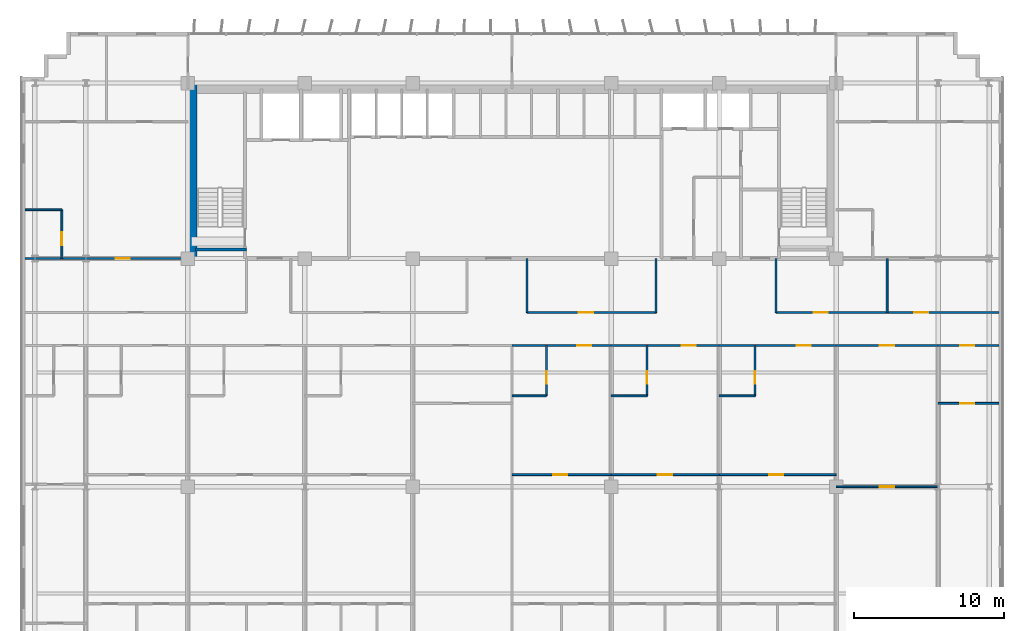
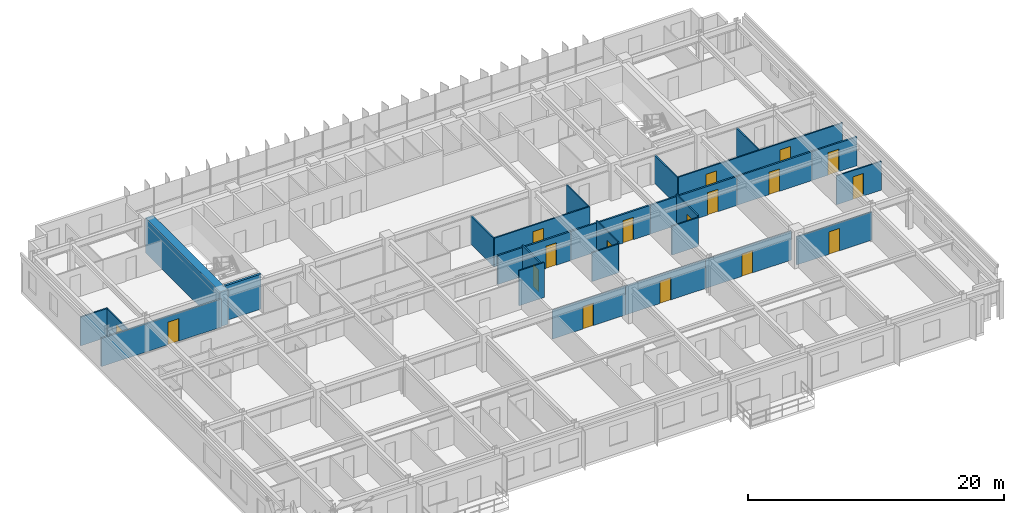
# One storey, part 18 of 24: 27 walls, 18 doors, 18 openings.
"""IFC4 building model written with IfcOpenShell, lengths in metres."""

from ifc_helpers import new_model, si_unit, direction, frame, frame_2d, origin, place, context, subcontext, project, spatial, rectangle, extrude, source, transform, mapped, material, layer, layer_set, type_object, element, fill, save


model = new_model("IFC4")

# Units and contexts
model_context = context("Model", 3, precision=1e-05, world=origin(), true_north=direction((0.0, 1.0)))
body_context = subcontext(model_context, "Body", "Model", "MODEL_VIEW")
ifc_project = project(units=[si_unit("LENGTHUNIT", "METRE"), si_unit("AREAUNIT", "SQUARE_METRE"), si_unit("VOLUMEUNIT", "CUBIC_METRE"), si_unit("PLANEANGLEUNIT", "RADIAN"), si_unit("MASSUNIT", "GRAM", prefix="KILO")], contexts=[model_context])

# Site, building, storey
site_placement = place(None, origin())
site = spatial("IfcSite", under=ifc_project, at=site_placement, CompositionType="ELEMENT")
building_placement = place(site_placement, origin())
building = spatial("IfcBuilding", under=site, at=building_placement, Name="Trelvane Seafront Commons", CompositionType="ELEMENT")
storey_placement = place(building_placement, frame((0.0, 0.0, 27.10009765625)))
storey = spatial("IfcBuildingStorey", under=building, at=storey_placement, Name="L06", CompositionType="ELEMENT", Elevation=27.10009765625)

# Wall, opening, door
ifc_material_1 = material(Name="Gypsum Drywall Acoustic Partition")
ifc_layer_1 = layer(ifc_material_1, 0.1201171875, Name="ARCH-WALL-PART120")
ifc_layer_set_1 = layer_set([ifc_layer_1], Name="Gypsum Drywall Acoustic Partition")
wall_type_1 = type_object("IfcWallType", Name="ARCH-WALL-PART120", PredefinedType="PARTITIONING", material=ifc_layer_set_1)
wall_1_placement = place(storey_placement, frame((38.199951171875, 29.800048828125, 0.0), z_axis=(0.0, 0.0, 1.0), x_axis=(1.0, 0.0, 0.0)))
wall_1 = element("IfcWall", 1, at=wall_1_placement, inside=storey, type_object=wall_type_1, Name="W-L06-CORR-N-M2-040", PredefinedType="PARTITIONING", context=body_context, shape_type="SweptSolid", body=[
    extrude(rectangle(XDim=8.60009765625, YDim=0.1201171875, at=frame_2d((4.300048828125, 0.0))), origin(), (0.0, 0.0, 1.0), 2.751953125),
])
opening_1_placement = place(wall_1_placement, frame((3.4619140625, 0.0, 0.0)))
opening_1 = element("IfcOpeningElement", 2, at=opening_1_placement, cuts=wall_1, Name="Opening D-L06-19", PredefinedType="OPENING", context=body_context, shape_type="SweptSolid", body=[
    extrude(rectangle(XDim=0.949951171875, YDim=2.14990234375, at=frame_2d((0.47509765625, 1.074951171875))), frame((0.0, 0.070068359375, 0.0), z_axis=(0.0, -1.0, 0.0), x_axis=(1.0, 0.0, 0.0)), (0.0, 0.0, 1.0), 0.14013671875),
])
ifc_material_2 = material(Name="Acoustic timber door leaf", Category="wood")
door_type_1 = type_object("IfcDoorType", Name="ARCH-DR-INT950", OperationType="NOTDEFINED", PredefinedType="DOOR", material=ifc_material_2)
shared_shape_1 = source(origin(), body_context, "Body", "SweptSolid", [
    extrude(rectangle(XDim=0.949951171875, YDim=2.14990234375, at=frame_2d((0.47509765625, 1.074951171875))), frame((0.0, 0.02490234375, 0.0), z_axis=(0.0, -1.0, 0.0), x_axis=(1.0, 0.0, 0.0)), (0.0, 0.0, 1.0), 0.050048828125),
])
door_1_placement = place(opening_1_placement, origin())
door_1 = element("IfcDoor", 3, at=door_1_placement, inside=storey, type_object=door_type_1, Name="L06 Door 19", OperationType="SINGLE_SWING_LEFT", OverallHeight=2.14990234375, OverallWidth=0.949951171875, PredefinedType="DOOR", context=body_context, shape_type="MappedRepresentation", body=[
    mapped(shared_shape_1, transform((0.0, 0.0, 0.0), x_axis=(1.0, 0.0, 0.0), y_axis=(0.0, 1.0, 0.0), z_axis=(0.0, 0.0, 1.0), scale=1.0)),
])
fill(opening_1, door_1)

# Wall, openings, doors
wall_2_placement = place(storey_placement, frame((54.800048828125, 29.800048828125, 0.0), z_axis=(0.0, 0.0, 1.0), x_axis=(1.0, 0.0, 0.0)))
wall_2 = element("IfcWall", 4, at=wall_2_placement, inside=storey, type_object=wall_type_1, Name="W-L06-CORR-N-E-041", PredefinedType="PARTITIONING", context=body_context, shape_type="SweptSolid", body=[
    extrude(rectangle(XDim=14.849853515625, YDim=0.1201171875, at=frame_2d((7.4248046875, 0.0))), origin(), (0.0, 0.0, 1.0), 2.751953125),
])
opening_2_placement = place(wall_2_placement, frame((2.5, 0.0, 0.0)))
opening_2 = element("IfcOpeningElement", 5, at=opening_2_placement, cuts=wall_2, Name="Opening D-L06-20", PredefinedType="OPENING", context=body_context, shape_type="SweptSolid", body=[
    extrude(rectangle(XDim=0.949951171875, YDim=2.14990234375, at=frame_2d((0.47509765625, 1.074951171875))), frame((0.0, 0.070068359375, 0.0), z_axis=(0.0, -1.0, 0.0), x_axis=(1.0, 0.0, 0.0)), (0.0, 0.0, 1.0), 0.14013671875),
])
opening_3_placement = place(wall_2_placement, frame((9.199951171875, 0.0, 0.0)))
opening_3 = element("IfcOpeningElement", 6, at=opening_3_placement, cuts=wall_2, Name="Opening D-L06-21", PredefinedType="OPENING", context=body_context, shape_type="SweptSolid", body=[
    extrude(rectangle(XDim=0.949951171875, YDim=2.14990234375, at=frame_2d((0.47509765625, 1.074951171875))), frame((0.0, 0.070068359375, 0.0), z_axis=(0.0, -1.0, 0.0), x_axis=(1.0, 0.0, 0.0)), (0.0, 0.0, 1.0), 0.14013671875),
])
door_2_placement = place(opening_2_placement, origin())
door_2 = element("IfcDoor", 7, at=door_2_placement, inside=storey, type_object=door_type_1, Name="L06 Door 20", OperationType="SINGLE_SWING_RIGHT", OverallHeight=2.14990234375, OverallWidth=0.949951171875, PredefinedType="DOOR", context=body_context, shape_type="MappedRepresentation", body=[
    mapped(shared_shape_1, transform((0.0, 0.0, 0.0), x_axis=(1.0, 0.0, 0.0), y_axis=(0.0, 1.0, 0.0), z_axis=(0.0, 0.0, 1.0), scale=1.0)),
])
fill(opening_2, door_2)
door_3_placement = place(opening_3_placement, origin())
door_3 = element("IfcDoor", 8, at=door_3_placement, inside=storey, type_object=door_type_1, Name="L06 Door 21", OperationType="SINGLE_SWING_LEFT", OverallHeight=2.14990234375, OverallWidth=0.949951171875, PredefinedType="DOOR", context=body_context, shape_type="MappedRepresentation", body=[
    mapped(shared_shape_1, transform((0.0, 0.0, 0.0), x_axis=(1.0, 0.0, 0.0), y_axis=(0.0, 1.0, 0.0), z_axis=(0.0, 0.0, 1.0), scale=1.0)),
])
fill(opening_3, door_3)

# Walls
for number, where, z_axis, x_axis, name in (
    (9, (62.199951171875, 29.800048828125, 0.0), (0.0, 0.0, 1.0), (0.0, 1.0, 0.0), "W-L06-N-LAUN-DV-042"),
    (10, (38.199951171875, 29.800048828125, 0.0), (0.0, 0.0, 1.0), (0.0, 1.0, 0.0), "W-L06-N-SPUR-M2-046"),
    (11, (46.800048828125, 29.800048828125, 0.0), (0.0, 0.0, 1.0), (0.0, 1.0, 0.0), "W-L06-N-SPUR-E1-047"),
    (12, (54.800048828125, 29.800048828125, 0.0), (0.0, 0.0, 1.0), (0.0, 1.0, 0.0), "W-L06-N-SPUR-E2-048"),
):
    element("IfcWall", number, at=place(storey_placement, frame(where, z_axis=z_axis, x_axis=x_axis)), inside=storey, type_object=wall_type_1, Name=name, PredefinedType="PARTITIONING", context=body_context, shape_type="SweptSolid", body=[
        extrude(rectangle(XDim=3.599853515625, YDim=0.1201171875, at=frame_2d((1.7998046875, 0.0))), origin(), (0.0, 0.0, 1.0), 2.68994140625),
    ])

# Wall, opening, door
wall_3_placement = place(storey_placement, frame((7.199951171875, 33.39990234375, 0.0), z_axis=(0.0, 0.0, 1.0), x_axis=(0.0, 1.0, 0.0)))
wall_3 = element("IfcWall", 13, at=wall_3_placement, inside=storey, type_object=wall_type_1, Name="W-L06-NW-BE-049", PredefinedType="PARTITIONING", context=body_context, shape_type="SweptSolid", body=[
    extrude(rectangle(XDim=3.25, YDim=0.1201171875, at=frame_2d((1.625, 0.0))), origin(), (0.0, 0.0, 1.0), 2.68994140625),
])
opening_4_placement = place(wall_3_placement, frame((0.89990234375, 0.0, 0.0)))
opening_4 = element("IfcOpeningElement", 14, at=opening_4_placement, cuts=wall_3, Name="Opening D-L06-22", PredefinedType="OPENING", context=body_context, shape_type="SweptSolid", body=[
    extrude(rectangle(XDim=0.85009765625, YDim=2.10009765625, at=frame_2d((0.425048828125, 1.050048828125))), frame((0.0, 0.070068359375, 0.0), z_axis=(0.0, -1.0, 0.0), x_axis=(1.0, 0.0, 0.0)), (0.0, 0.0, 1.0), 0.14013671875),
])
door_type_2 = type_object("IfcDoorType", Name="ARCH-DR-INT850", OperationType="NOTDEFINED", PredefinedType="DOOR", material=ifc_material_2)
shared_shape_2 = source(origin(), body_context, "Body", "SweptSolid", [
    extrude(rectangle(XDim=0.85009765625, YDim=2.10009765625, at=frame_2d((0.425048828125, 1.050048828125))), frame((0.0, 0.02490234375, 0.0), z_axis=(0.0, -1.0, 0.0), x_axis=(1.0, 0.0, 0.0)), (0.0, 0.0, 1.0), 0.050048828125),
])
door_4_placement = place(opening_4_placement, origin())
door_4 = element("IfcDoor", 15, at=door_4_placement, inside=storey, type_object=door_type_2, Name="L06 Door 22", OperationType="SINGLE_SWING_RIGHT", OverallHeight=2.10009765625, OverallWidth=0.85009765625, PredefinedType="DOOR", context=body_context, shape_type="MappedRepresentation", body=[
    mapped(shared_shape_2, transform((0.0, 0.0, 0.0), x_axis=(1.0, 0.0, 0.0), y_axis=(0.0, 1.0, 0.0), z_axis=(0.0, 0.0, 1.0), scale=1.0)),
])
fill(opening_4, door_4)

# Wall
wall_4_placement = place(storey_placement, frame((4.75, 36.64990234375, 0.0), z_axis=(0.0, 0.0, 1.0), x_axis=(1.0, 0.0, 0.0)))
element("IfcWall", 16, at=wall_4_placement, inside=storey, type_object=wall_type_1, Name="W-L06-NW-BN-050", PredefinedType="PARTITIONING", context=body_context, shape_type="SweptSolid", body=[
    extrude(rectangle(XDim=2.449951171875, YDim=0.1201171875, at=frame_2d((1.22509765625, 0.0))), origin(), (0.0, 0.0, 1.0), 2.751953125),
])

# Wall, opening, door
wall_5_placement = place(storey_placement, frame((37.199951171875, 19.0, 0.0), z_axis=(0.0, 0.0, 1.0), x_axis=(1.0, 0.0, 0.0)))
wall_5 = element("IfcWall", 17, at=wall_5_placement, inside=storey, type_object=wall_type_1, Name="W-L06-U6-KL-103", PredefinedType="PARTITIONING", context=body_context, shape_type="SweptSolid", body=[
    extrude(rectangle(XDim=6.60009765625, YDim=0.1201171875, at=frame_2d((3.300048828125, 0.0))), origin(), (0.0, 0.0, 1.0), 2.751953125),
])
opening_5_placement = place(wall_5_placement, frame((2.73388671875, 0.0, 0.0)))
opening_5 = element("IfcOpeningElement", 18, at=opening_5_placement, cuts=wall_5, Name="Opening D-L06-55", PredefinedType="OPENING", context=body_context, shape_type="SweptSolid", body=[
    extrude(rectangle(XDim=0.949951171875, YDim=2.14990234375, at=frame_2d((0.47509765625, 1.074951171875))), frame((0.0, 0.070068359375, 0.0), z_axis=(0.0, -1.0, 0.0), x_axis=(1.0, 0.0, 0.0)), (0.0, 0.0, 1.0), 0.14013671875),
])
door_5_placement = place(opening_5_placement, origin())
door_5 = element("IfcDoor", 19, at=door_5_placement, inside=storey, type_object=door_type_1, Name="L06 Door 55", OperationType="SINGLE_SWING_LEFT", OverallHeight=2.14990234375, OverallWidth=0.949951171875, PredefinedType="DOOR", context=body_context, shape_type="MappedRepresentation", body=[
    mapped(shared_shape_1, transform((0.0, 0.0, 0.0), x_axis=(1.0, 0.0, 0.0), y_axis=(0.0, 1.0, 0.0), z_axis=(0.0, 0.0, 1.0), scale=1.0)),
])
fill(opening_5, door_5)

wall_6_placement = place(storey_placement, frame((39.493896484375, 24.25, 0.0), z_axis=(0.0, 0.0, 1.0), x_axis=(0.0, 1.0, 0.0)))
wall_6 = element("IfcWall", 20, at=wall_6_placement, inside=storey, type_object=wall_type_1, Name="W-L06-U6-BE-104", PredefinedType="PARTITIONING", context=body_context, shape_type="SweptSolid", body=[
    extrude(rectangle(XDim=3.35009765625, YDim=0.1201171875, at=frame_2d((1.675048828125, 0.0))), origin(), (0.0, 0.0, 1.0), 2.93994140625),
])
opening_6_placement = place(wall_6_placement, frame((0.800048828125, 0.0, 0.0)))
opening_6 = element("IfcOpeningElement", 21, at=opening_6_placement, cuts=wall_6, Name="Opening D-L06-56", PredefinedType="OPENING", context=body_context, shape_type="SweptSolid", body=[
    extrude(rectangle(XDim=0.85009765625, YDim=2.10009765625, at=frame_2d((0.425048828125, 1.050048828125))), frame((0.0, 0.070068359375, 0.0), z_axis=(0.0, -1.0, 0.0), x_axis=(1.0, 0.0, 0.0)), (0.0, 0.0, 1.0), 0.14013671875),
])
door_6_placement = place(opening_6_placement, origin())
door_6 = element("IfcDoor", 22, at=door_6_placement, inside=storey, type_object=door_type_2, Name="L06 Door 56", OperationType="SINGLE_SWING_RIGHT", OverallHeight=2.10009765625, OverallWidth=0.85009765625, PredefinedType="DOOR", context=body_context, shape_type="MappedRepresentation", body=[
    mapped(shared_shape_2, transform((0.0, 0.0, 0.0), x_axis=(1.0, 0.0, 0.0), y_axis=(0.0, 1.0, 0.0), z_axis=(0.0, 0.0, 1.0), scale=1.0)),
])
fill(opening_6, door_6)

# Wall
wall_7_placement = place(storey_placement, frame((37.199951171875, 24.25, 0.0), z_axis=(0.0, 0.0, 1.0), x_axis=(1.0, 0.0, 0.0)))
element("IfcWall", 23, at=wall_7_placement, inside=storey, type_object=wall_type_1, Name="W-L06-U6-BS-105", PredefinedType="PARTITIONING", context=body_context, shape_type="SweptSolid", body=[
    extrude(rectangle(XDim=2.2939453125, YDim=0.1201171875, at=frame_2d((1.14697265625, 0.0))), origin(), (0.0, 0.0, 1.0), 3.33984375),
])

# Wall, opening, door
wall_8_placement = place(storey_placement, frame((43.800048828125, 19.0, 0.0), z_axis=(0.0, 0.0, 1.0), x_axis=(1.0, 0.0, 0.0)))
wall_8 = element("IfcWall", 24, at=wall_8_placement, inside=storey, type_object=wall_type_1, Name="W-L06-U7-KL-110", PredefinedType="PARTITIONING", context=body_context, shape_type="SweptSolid", body=[
    extrude(rectangle(XDim=7.199951171875, YDim=0.1201171875, at=frame_2d((3.60009765625, 0.0))), origin(), (0.0, 0.0, 1.0), 2.751953125),
])
opening_7_placement = place(wall_8_placement, frame((3.125, 0.0, 0.0)))
opening_7 = element("IfcOpeningElement", 25, at=opening_7_placement, cuts=wall_8, Name="Opening D-L06-60", PredefinedType="OPENING", context=body_context, shape_type="SweptSolid", body=[
    extrude(rectangle(XDim=0.949951171875, YDim=2.14990234375, at=frame_2d((0.47509765625, 1.074951171875))), frame((0.0, 0.070068359375, 0.0), z_axis=(0.0, -1.0, 0.0), x_axis=(1.0, 0.0, 0.0)), (0.0, 0.0, 1.0), 0.14013671875),
])
door_7_placement = place(opening_7_placement, origin())
door_7 = element("IfcDoor", 26, at=door_7_placement, inside=storey, type_object=door_type_1, Name="L06 Door 60", OperationType="SINGLE_SWING_RIGHT", OverallHeight=2.14990234375, OverallWidth=0.949951171875, PredefinedType="DOOR", context=body_context, shape_type="MappedRepresentation", body=[
    mapped(shared_shape_1, transform((0.0, 0.0, 0.0), x_axis=(1.0, 0.0, 0.0), y_axis=(0.0, 1.0, 0.0), z_axis=(0.0, 0.0, 1.0), scale=1.0)),
])
fill(opening_7, door_7)

wall_9_placement = place(storey_placement, frame((46.199951171875, 24.25, 0.0), z_axis=(0.0, 0.0, 1.0), x_axis=(0.0, 1.0, 0.0)))
wall_9 = element("IfcWall", 27, at=wall_9_placement, inside=storey, type_object=wall_type_1, Name="W-L06-U7-BE-111", PredefinedType="PARTITIONING", context=body_context, shape_type="SweptSolid", body=[
    extrude(rectangle(XDim=3.35009765625, YDim=0.1201171875, at=frame_2d((1.675048828125, 0.0))), origin(), (0.0, 0.0, 1.0), 2.93994140625),
])
opening_8_placement = place(wall_9_placement, frame((0.800048828125, 0.0, 0.0)))
opening_8 = element("IfcOpeningElement", 28, at=opening_8_placement, cuts=wall_9, Name="Opening D-L06-61", PredefinedType="OPENING", context=body_context, shape_type="SweptSolid", body=[
    extrude(rectangle(XDim=0.85009765625, YDim=2.10009765625, at=frame_2d((0.425048828125, 1.050048828125))), frame((0.0, 0.070068359375, 0.0), z_axis=(0.0, -1.0, 0.0), x_axis=(1.0, 0.0, 0.0)), (0.0, 0.0, 1.0), 0.14013671875),
])
door_8_placement = place(opening_8_placement, origin())
door_8 = element("IfcDoor", 29, at=door_8_placement, inside=storey, type_object=door_type_2, Name="L06 Door 61", OperationType="SINGLE_SWING_LEFT", OverallHeight=2.10009765625, OverallWidth=0.85009765625, PredefinedType="DOOR", context=body_context, shape_type="MappedRepresentation", body=[
    mapped(shared_shape_2, transform((0.0, 0.0, 0.0), x_axis=(1.0, 0.0, 0.0), y_axis=(0.0, 1.0, 0.0), z_axis=(0.0, 0.0, 1.0), scale=1.0)),
])
fill(opening_8, door_8)

# Wall
wall_10_placement = place(storey_placement, frame((43.800048828125, 24.25, 0.0), z_axis=(0.0, 0.0, 1.0), x_axis=(1.0, 0.0, 0.0)))
element("IfcWall", 30, at=wall_10_placement, inside=storey, type_object=wall_type_1, Name="W-L06-U7-BS-112", PredefinedType="PARTITIONING", context=body_context, shape_type="SweptSolid", body=[
    extrude(rectangle(XDim=2.39990234375, YDim=0.1201171875, at=frame_2d((1.199951171875, 0.0))), origin(), (0.0, 0.0, 1.0), 2.751953125),
])

# Wall, opening, door
wall_11_placement = place(storey_placement, frame((51.0, 19.0, 0.0), z_axis=(0.0, 0.0, 1.0), x_axis=(1.0, 0.0, 0.0)))
wall_11 = element("IfcWall", 31, at=wall_11_placement, inside=storey, type_object=wall_type_1, Name="W-L06-U8-KL-117", PredefinedType="PARTITIONING", context=body_context, shape_type="SweptSolid", body=[
    extrude(rectangle(XDim=7.800048828125, YDim=0.1201171875, at=frame_2d((3.89990234375, 0.0))), origin(), (0.0, 0.0, 1.0), 2.751953125),
])
opening_9_placement = place(wall_11_placement, frame((3.3330078125, 0.0, 0.0)))
opening_9 = element("IfcOpeningElement", 32, at=opening_9_placement, cuts=wall_11, Name="Opening D-L06-65", PredefinedType="OPENING", context=body_context, shape_type="SweptSolid", body=[
    extrude(rectangle(XDim=0.949951171875, YDim=2.14990234375, at=frame_2d((0.47509765625, 1.074951171875))), frame((0.0, 0.070068359375, 0.0), z_axis=(0.0, -1.0, 0.0), x_axis=(1.0, 0.0, 0.0)), (0.0, 0.0, 1.0), 0.14013671875),
])
door_9_placement = place(opening_9_placement, origin())
door_9 = element("IfcDoor", 33, at=door_9_placement, inside=storey, type_object=door_type_1, Name="L06 Door 65", OperationType="SINGLE_SWING_LEFT", OverallHeight=2.14990234375, OverallWidth=0.949951171875, PredefinedType="DOOR", context=body_context, shape_type="MappedRepresentation", body=[
    mapped(shared_shape_1, transform((0.0, 0.0, 0.0), x_axis=(1.0, 0.0, 0.0), y_axis=(0.0, 1.0, 0.0), z_axis=(0.0, 0.0, 1.0), scale=1.0)),
])
fill(opening_9, door_9)

wall_12_placement = place(storey_placement, frame((53.39990234375, 24.25, 0.0), z_axis=(0.0, 0.0, 1.0), x_axis=(0.0, 1.0, 0.0)))
wall_12 = element("IfcWall", 34, at=wall_12_placement, inside=storey, type_object=wall_type_1, Name="W-L06-U8-BE-118", PredefinedType="PARTITIONING", context=body_context, shape_type="SweptSolid", body=[
    extrude(rectangle(XDim=3.35009765625, YDim=0.1201171875, at=frame_2d((1.675048828125, 0.0))), origin(), (0.0, 0.0, 1.0), 2.93994140625),
])
opening_10_placement = place(wall_12_placement, frame((0.800048828125, 0.0, 0.0)))
opening_10 = element("IfcOpeningElement", 35, at=opening_10_placement, cuts=wall_12, Name="Opening D-L06-66", PredefinedType="OPENING", context=body_context, shape_type="SweptSolid", body=[
    extrude(rectangle(XDim=0.85009765625, YDim=2.10009765625, at=frame_2d((0.425048828125, 1.050048828125))), frame((0.0, 0.070068359375, 0.0), z_axis=(0.0, -1.0, 0.0), x_axis=(1.0, 0.0, 0.0)), (0.0, 0.0, 1.0), 0.14013671875),
])
door_10_placement = place(opening_10_placement, origin())
door_10 = element("IfcDoor", 36, at=door_10_placement, inside=storey, type_object=door_type_2, Name="L06 Door 66", OperationType="SINGLE_SWING_RIGHT", OverallHeight=2.10009765625, OverallWidth=0.85009765625, PredefinedType="DOOR", context=body_context, shape_type="MappedRepresentation", body=[
    mapped(shared_shape_2, transform((0.0, 0.0, 0.0), x_axis=(1.0, 0.0, 0.0), y_axis=(0.0, 1.0, 0.0), z_axis=(0.0, 0.0, 1.0), scale=1.0)),
])
fill(opening_10, door_10)

# Wall
wall_13_placement = place(storey_placement, frame((51.0, 24.25, 0.0), z_axis=(0.0, 0.0, 1.0), x_axis=(1.0, 0.0, 0.0)))
element("IfcWall", 37, at=wall_13_placement, inside=storey, type_object=wall_type_1, Name="W-L06-U8-BS-119", PredefinedType="PARTITIONING", context=body_context, shape_type="SweptSolid", body=[
    extrude(rectangle(XDim=2.39990234375, YDim=0.1201171875, at=frame_2d((1.199951171875, 0.0))), origin(), (0.0, 0.0, 1.0), 2.751953125),
])

# Wall, opening, door
wall_14_placement = place(storey_placement, frame((58.800048828125, 18.199951171875, 0.0), z_axis=(0.0, 0.0, 1.0), x_axis=(1.0, 0.0, 0.0)))
wall_14 = element("IfcWall", 38, at=wall_14_placement, inside=storey, type_object=wall_type_1, Name="W-L06-U9-DIV-125", PredefinedType="PARTITIONING", context=body_context, shape_type="SweptSolid", body=[
    extrude(rectangle(XDim=6.800048828125, YDim=0.1201171875, at=frame_2d((3.39990234375, 0.0))), origin(), (0.0, 0.0, 1.0), 2.68994140625),
])
opening_11_placement = place(wall_14_placement, frame((2.925048828125, 0.0, 0.0)))
opening_11 = element("IfcOpeningElement", 39, at=opening_11_placement, cuts=wall_14, Name="Opening D-L06-71", PredefinedType="OPENING", context=body_context, shape_type="SweptSolid", body=[
    extrude(rectangle(XDim=0.949951171875, YDim=2.14990234375, at=frame_2d((0.47509765625, 1.074951171875))), frame((0.0, 0.070068359375, 0.0), z_axis=(0.0, -1.0, 0.0), x_axis=(1.0, 0.0, 0.0)), (0.0, 0.0, 1.0), 0.14013671875),
])
door_11_placement = place(opening_11_placement, origin())
door_11 = element("IfcDoor", 40, at=door_11_placement, inside=storey, type_object=door_type_1, Name="L06 Door 71", OperationType="SINGLE_SWING_LEFT", OverallHeight=2.14990234375, OverallWidth=0.949951171875, PredefinedType="DOOR", context=body_context, shape_type="MappedRepresentation", body=[
    mapped(shared_shape_1, transform((0.0, 0.0, 0.0), x_axis=(1.0, 0.0, 0.0), y_axis=(0.0, 1.0, 0.0), z_axis=(0.0, 0.0, 1.0), scale=1.0)),
])
fill(opening_11, door_11)

wall_15_placement = place(storey_placement, frame((65.60009765625, 23.75, 0.0), z_axis=(0.0, 0.0, 1.0), x_axis=(1.0, 0.0, 0.0)))
wall_15 = element("IfcWall", 41, at=wall_15_placement, inside=storey, type_object=wall_type_1, Name="W-L06-U10-DIV-127", PredefinedType="PARTITIONING", context=body_context, shape_type="SweptSolid", body=[
    extrude(rectangle(XDim=4.054931640625, YDim=0.1201171875, at=frame_2d((2.02734375, 0.0))), origin(), (0.0, 0.0, 1.0), 2.751953125),
])
opening_12_placement = place(wall_15_placement, frame((1.4619140625, 0.0, 0.0)))
opening_12 = element("IfcOpeningElement", 42, at=opening_12_placement, cuts=wall_15, Name="Opening D-L06-73", PredefinedType="OPENING", context=body_context, shape_type="SweptSolid", body=[
    extrude(rectangle(XDim=0.949951171875, YDim=2.14990234375, at=frame_2d((0.47509765625, 1.074951171875))), frame((0.0, 0.070068359375, 0.0), z_axis=(0.0, -1.0, 0.0), x_axis=(1.0, 0.0, 0.0)), (0.0, 0.0, 1.0), 0.14013671875),
])
door_12_placement = place(opening_12_placement, origin())
door_12 = element("IfcDoor", 43, at=door_12_placement, inside=storey, type_object=door_type_1, Name="L06 Door 73", OperationType="SINGLE_SWING_LEFT", OverallHeight=2.14990234375, OverallWidth=0.949951171875, PredefinedType="DOOR", context=body_context, shape_type="MappedRepresentation", body=[
    mapped(shared_shape_1, transform((0.0, 0.0, 0.0), x_axis=(1.0, 0.0, 0.0), y_axis=(0.0, 1.0, 0.0), z_axis=(0.0, 0.0, 1.0), scale=1.0)),
])
fill(opening_12, door_12)

ifc_layer_2 = layer(ifc_material_1, 0.14990234375, Name="ARCH-WALL-PART150")
ifc_layer_set_2 = layer_set([ifc_layer_2], Name="Gypsum Drywall Acoustic Partition")
wall_type_2 = type_object("IfcWallType", Name="ARCH-WALL-PART150", PredefinedType="PARTITIONING", material=ifc_layer_set_2)
wall_16_placement = place(storey_placement, frame((4.75, 33.39990234375, 0.0), z_axis=(0.0, 0.0, 1.0), x_axis=(1.0, 0.0, 0.0)))
wall_16 = element("IfcWall", 44, at=wall_16_placement, inside=storey, type_object=wall_type_2, Name="W-L06-NW-ENT-054", PredefinedType="PARTITIONING", context=body_context, shape_type="SweptSolid", body=[
    extrude(rectangle(XDim=10.85009765625, YDim=0.14990234375, at=frame_2d((5.425048828125, 0.0))), origin(), (0.0, 0.0, 1.0), 2.68994140625),
])
opening_13_placement = place(wall_16_placement, frame((6.02490234375, 0.0, 0.0)))
opening_13 = element("IfcOpeningElement", 45, at=opening_13_placement, cuts=wall_16, Name="Opening FD-L06-25", PredefinedType="OPENING", context=body_context, shape_type="SweptSolid", body=[
    extrude(rectangle(XDim=0.949951171875, YDim=2.14990234375, at=frame_2d((0.47509765625, 1.074951171875))), frame((0.0, 0.0849609375, 0.0), z_axis=(0.0, -1.0, 0.0), x_axis=(1.0, 0.0, 0.0)), (0.0, 0.0, 1.0), 0.169921875),
])
ifc_material_3 = material(Name="Powder-coated aluminium frame", Category="aluminium")
door_type_3 = type_object("IfcDoorType", Name="ARCH-DR-FD60-950", OperationType="NOTDEFINED", PredefinedType="DOOR", material=ifc_material_3)
door_13_placement = place(opening_13_placement, origin())
door_13 = element("IfcDoor", 46, at=door_13_placement, inside=storey, type_object=door_type_3, Name="L06 NW Flat Entrance Door", OperationType="SINGLE_SWING_LEFT", OverallHeight=2.14990234375, OverallWidth=0.949951171875, PredefinedType="DOOR", context=body_context, shape_type="MappedRepresentation", body=[
    mapped(shared_shape_1, transform((0.0, 0.0, 0.0), x_axis=(1.0, 0.0, 0.0), y_axis=(0.0, 1.0, 0.0), z_axis=(0.0, 0.0, 1.0), scale=1.0)),
])
fill(opening_13, door_13)

wall_17_placement = place(storey_placement, frame((37.199951171875, 27.60009765625, 0.0), z_axis=(0.0, 0.0, 1.0), x_axis=(1.0, 0.0, 0.0)))
wall_17 = element("IfcWall", 47, at=wall_17_placement, inside=storey, type_object=wall_type_2, Name="W-L06-CS-BAY-6-106", PredefinedType="PARTITIONING", context=body_context, shape_type="SweptSolid", body=[
    extrude(rectangle(XDim=6.60009765625, YDim=0.14990234375, at=frame_2d((3.300048828125, 0.0))), origin(), (0.0, 0.0, 1.0), 2.751953125),
])
opening_14_placement = place(wall_17_placement, frame((4.3369140625, 0.0, 0.0)))
opening_14 = element("IfcOpeningElement", 48, at=opening_14_placement, cuts=wall_17, Name="Opening FD-L06-57", PredefinedType="OPENING", context=body_context, shape_type="SweptSolid", body=[
    extrude(rectangle(XDim=0.949951171875, YDim=2.14990234375, at=frame_2d((0.47509765625, 1.074951171875))), frame((0.0, 0.0849609375, 0.0), z_axis=(0.0, -1.0, 0.0), x_axis=(1.0, 0.0, 0.0)), (0.0, 0.0, 1.0), 0.169921875),
])
door_14_placement = place(opening_14_placement, origin())
door_14 = element("IfcDoor", 49, at=door_14_placement, inside=storey, type_object=door_type_3, Name="L06 Unit 06 Entrance Door", OperationType="SINGLE_SWING_LEFT", OverallHeight=2.14990234375, OverallWidth=0.949951171875, PredefinedType="DOOR", context=body_context, shape_type="MappedRepresentation", body=[
    mapped(shared_shape_1, transform((0.0, 0.0, 0.0), x_axis=(1.0, 0.0, 0.0), y_axis=(0.0, 1.0, 0.0), z_axis=(0.0, 0.0, 1.0), scale=1.0)),
])
fill(opening_14, door_14)

wall_18_placement = place(storey_placement, frame((43.800048828125, 27.60009765625, 0.0), z_axis=(0.0, 0.0, 1.0), x_axis=(1.0, 0.0, 0.0)))
wall_18 = element("IfcWall", 50, at=wall_18_placement, inside=storey, type_object=wall_type_2, Name="W-L06-CS-BAY-7-113", PredefinedType="PARTITIONING", context=body_context, shape_type="SweptSolid", body=[
    extrude(rectangle(XDim=7.199951171875, YDim=0.14990234375, at=frame_2d((3.60009765625, 0.0))), origin(), (0.0, 0.0, 1.0), 2.751953125),
])
opening_15_placement = place(wall_18_placement, frame((4.7060546875, 0.0, 0.0)))
opening_15 = element("IfcOpeningElement", 51, at=opening_15_placement, cuts=wall_18, Name="Opening FD-L06-62", PredefinedType="OPENING", context=body_context, shape_type="SweptSolid", body=[
    extrude(rectangle(XDim=0.949951171875, YDim=2.14990234375, at=frame_2d((0.47509765625, 1.074951171875))), frame((0.0, 0.0849609375, 0.0), z_axis=(0.0, -1.0, 0.0), x_axis=(1.0, 0.0, 0.0)), (0.0, 0.0, 1.0), 0.169921875),
])
door_15_placement = place(opening_15_placement, origin())
door_15 = element("IfcDoor", 52, at=door_15_placement, inside=storey, type_object=door_type_3, Name="L06 Unit 07 Entrance Door", OperationType="SINGLE_SWING_RIGHT", OverallHeight=2.14990234375, OverallWidth=0.949951171875, PredefinedType="DOOR", context=body_context, shape_type="MappedRepresentation", body=[
    mapped(shared_shape_1, transform((0.0, 0.0, 0.0), x_axis=(1.0, 0.0, 0.0), y_axis=(0.0, 1.0, 0.0), z_axis=(0.0, 0.0, 1.0), scale=1.0)),
])
fill(opening_15, door_15)

wall_19_placement = place(storey_placement, frame((51.0, 27.60009765625, 0.0), z_axis=(0.0, 0.0, 1.0), x_axis=(1.0, 0.0, 0.0)))
wall_19 = element("IfcWall", 53, at=wall_19_placement, inside=storey, type_object=wall_type_2, Name="W-L06-CS-BAY-8-120", PredefinedType="PARTITIONING", context=body_context, shape_type="SweptSolid", body=[
    extrude(rectangle(XDim=7.800048828125, YDim=0.14990234375, at=frame_2d((3.89990234375, 0.0))), origin(), (0.0, 0.0, 1.0), 2.751953125),
])
opening_16_placement = place(wall_19_placement, frame((5.172119140625, 0.0, 0.0)))
opening_16 = element("IfcOpeningElement", 54, at=opening_16_placement, cuts=wall_19, Name="Opening FD-L06-67", PredefinedType="OPENING", context=body_context, shape_type="SweptSolid", body=[
    extrude(rectangle(XDim=0.949951171875, YDim=2.14990234375, at=frame_2d((0.47509765625, 1.074951171875))), frame((0.0, 0.0849609375, 0.0), z_axis=(0.0, -1.0, 0.0), x_axis=(1.0, 0.0, 0.0)), (0.0, 0.0, 1.0), 0.169921875),
])
door_16_placement = place(opening_16_placement, origin())
door_16 = element("IfcDoor", 55, at=door_16_placement, inside=storey, type_object=door_type_3, Name="L06 Unit 08 Entrance Door", OperationType="SINGLE_SWING_LEFT", OverallHeight=2.14990234375, OverallWidth=0.949951171875, PredefinedType="DOOR", context=body_context, shape_type="MappedRepresentation", body=[
    mapped(shared_shape_1, transform((0.0, 0.0, 0.0), x_axis=(1.0, 0.0, 0.0), y_axis=(0.0, 1.0, 0.0), z_axis=(0.0, 0.0, 1.0), scale=1.0)),
])
fill(opening_16, door_16)

wall_20_placement = place(storey_placement, frame((58.800048828125, 27.60009765625, 0.0), z_axis=(0.0, 0.0, 1.0), x_axis=(1.0, 0.0, 0.0)))
wall_20 = element("IfcWall", 56, at=wall_20_placement, inside=storey, type_object=wall_type_2, Name="W-L06-CS-BAY-9-124", PredefinedType="PARTITIONING", context=body_context, shape_type="SweptSolid", body=[
    extrude(rectangle(XDim=6.800048828125, YDim=0.14990234375, at=frame_2d((3.39990234375, 0.0))), origin(), (0.0, 0.0, 1.0), 2.751953125),
])
opening_17_placement = place(wall_20_placement, frame((2.925048828125, 0.0, 0.0)))
opening_17 = element("IfcOpeningElement", 57, at=opening_17_placement, cuts=wall_20, Name="Opening FD-L06-70", PredefinedType="OPENING", context=body_context, shape_type="SweptSolid", body=[
    extrude(rectangle(XDim=0.949951171875, YDim=2.14990234375, at=frame_2d((0.47509765625, 1.074951171875))), frame((0.0, 0.0849609375, 0.0), z_axis=(0.0, -1.0, 0.0), x_axis=(1.0, 0.0, 0.0)), (0.0, 0.0, 1.0), 0.169921875),
])
door_17_placement = place(opening_17_placement, origin())
door_17 = element("IfcDoor", 58, at=door_17_placement, inside=storey, type_object=door_type_3, Name="L06 Bay 09 Entrance Door", OperationType="SINGLE_SWING_RIGHT", OverallHeight=2.14990234375, OverallWidth=0.949951171875, PredefinedType="DOOR", context=body_context, shape_type="MappedRepresentation", body=[
    mapped(shared_shape_1, transform((0.0, 0.0, 0.0), x_axis=(1.0, 0.0, 0.0), y_axis=(0.0, 1.0, 0.0), z_axis=(0.0, 0.0, 1.0), scale=1.0)),
])
fill(opening_17, door_17)

wall_21_placement = place(storey_placement, frame((65.60009765625, 27.60009765625, 0.0), z_axis=(0.0, 0.0, 1.0), x_axis=(1.0, 0.0, 0.0)))
wall_21 = element("IfcWall", 59, at=wall_21_placement, inside=storey, type_object=wall_type_2, Name="W-L06-CS-BAY-10-126", PredefinedType="PARTITIONING", context=body_context, shape_type="SweptSolid", body=[
    extrude(rectangle(XDim=4.054931640625, YDim=0.14990234375, at=frame_2d((2.02734375, 0.0))), origin(), (0.0, 0.0, 1.0), 2.751953125),
])
opening_18_placement = place(wall_21_placement, frame((1.4619140625, 0.0, 0.0)))
opening_18 = element("IfcOpeningElement", 60, at=opening_18_placement, cuts=wall_21, Name="Opening FD-L06-72", PredefinedType="OPENING", context=body_context, shape_type="SweptSolid", body=[
    extrude(rectangle(XDim=0.949951171875, YDim=2.14990234375, at=frame_2d((0.47509765625, 1.074951171875))), frame((0.0, 0.0849609375, 0.0), z_axis=(0.0, -1.0, 0.0), x_axis=(1.0, 0.0, 0.0)), (0.0, 0.0, 1.0), 0.169921875),
])
door_18_placement = place(opening_18_placement, origin())
door_18 = element("IfcDoor", 61, at=door_18_placement, inside=storey, type_object=door_type_3, Name="L06 Bay 10 Entrance Door", OperationType="SINGLE_SWING_RIGHT", OverallHeight=2.14990234375, OverallWidth=0.949951171875, PredefinedType="DOOR", context=body_context, shape_type="MappedRepresentation", body=[
    mapped(shared_shape_1, transform((0.0, 0.0, 0.0), x_axis=(1.0, 0.0, 0.0), y_axis=(0.0, 1.0, 0.0), z_axis=(0.0, 0.0, 1.0), scale=1.0)),
])
fill(opening_18, door_18)

# Walls
ifc_material_4 = material(Name="Concrete C60/75", Category="concrete")
ifc_layer_3 = layer(ifc_material_4, 0.699951171875, Name="STR-WALL-CORE700")
ifc_layer_set_3 = layer_set([ifc_layer_3], Name="Concrete C60/75")
wall_type_3 = type_object("IfcWallType", Name="STR-WALL-CORE700", PredefinedType="SHEAR", material=ifc_layer_set_3)
wall_22_placement = place(storey_placement, frame((15.85009765625, 33.39990234375, 0.0), z_axis=(0.0, 0.0, 1.0), x_axis=(0.0, 1.0, 0.0)))
element("IfcWall", 62, at=wall_22_placement, inside=storey, type_object=wall_type_3, Name="W-L06-CW-END-002", PredefinedType="SHEAR", context=body_context, shape_type="SweptSolid", body=[
    extrude(rectangle(XDim=11.7001953125, YDim=0.699951171875, at=frame_2d((5.85009765625, 0.0))), origin(), (0.0, 0.0, 1.0), 3.33984375),
])
ifc_material_5 = material(Name="Concrete C50/60", Category="concrete")
ifc_layer_4 = layer(ifc_material_5, 0.199951171875, Name="STR-WALL-STAIR200")
ifc_layer_set_4 = layer_set([ifc_layer_4], Name="Concrete C50/60")
wall_type_4 = type_object("IfcWallType", Name="STR-WALL-STAIR200", PredefinedType="SHEAR", material=ifc_layer_set_4)
wall_23_placement = place(storey_placement, frame((16.10009765625, 34.0, 0.0), z_axis=(0.0, 0.0, 1.0), x_axis=(1.0, 0.0, 0.0)))
element("IfcWall", 63, at=wall_23_placement, inside=storey, type_object=wall_type_4, Name="W-L06-ST1-S-004", PredefinedType="SHEAR", context=body_context, shape_type="SweptSolid", body=[
    extrude(rectangle(XDim=3.39990234375, YDim=0.199951171875, at=frame_2d((1.699951171875, 0.0))), origin(), (0.0, 0.0, 1.0), 3.33984375),
])

save(model, "model.ifc")
